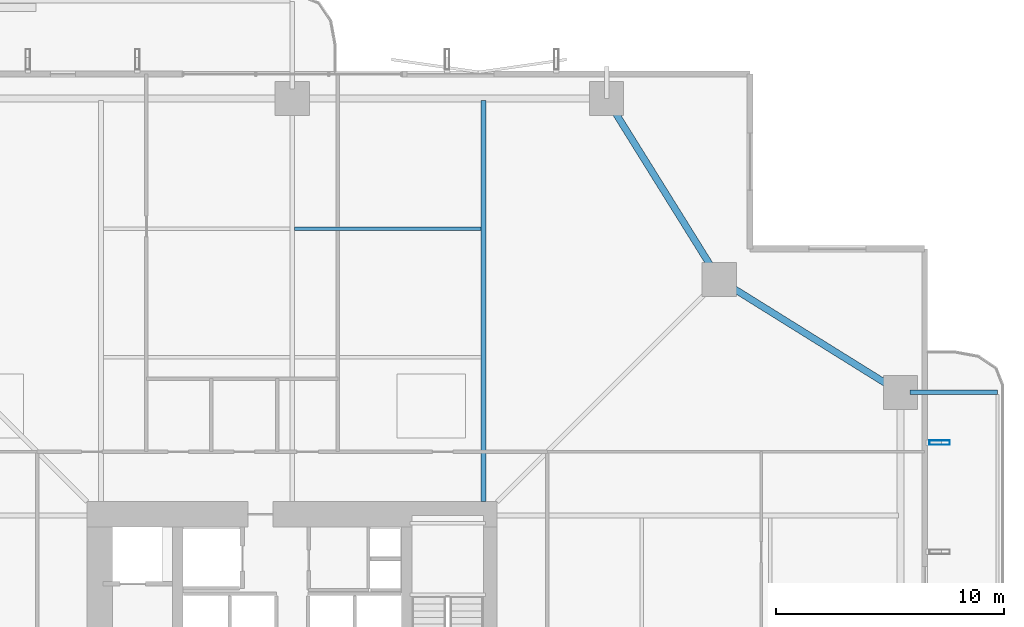
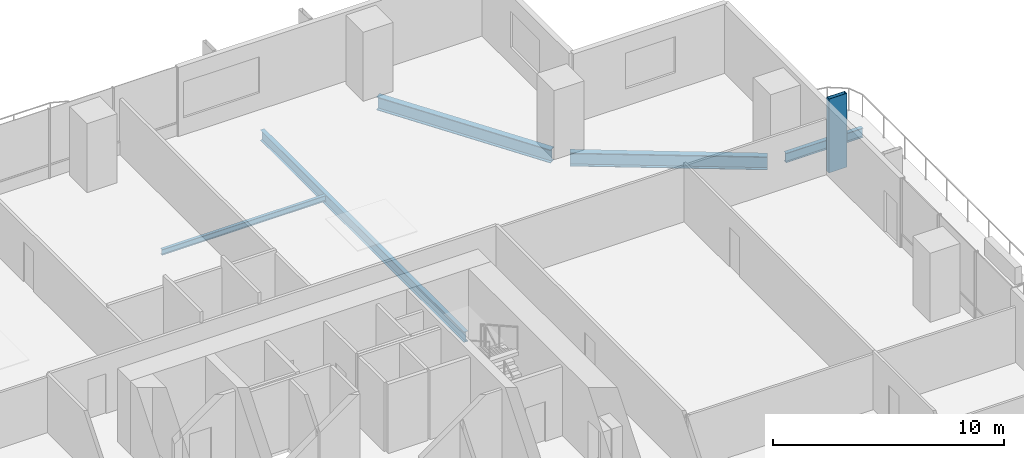
# One storey, part 14 of 24: 5 beams, 1 member.
"""IFC4 building model written with IfcOpenShell, lengths in metres."""

from ifc_helpers import new_model, si_unit, direction, frame, origin, origin_2d, place, context, subcontext, project, spatial, hollow_rectangle, i_section, extrude, material, material_profile, profile_set, type_object, element, save


model = new_model("IFC4")

# Units and contexts
model_context = context("Model", 3, precision=1e-05, world=origin(), true_north=direction((0.0, 1.0)))
body_context = subcontext(model_context, "Body", "Model", "MODEL_VIEW")
ifc_project = project(units=[si_unit("LENGTHUNIT", "METRE"), si_unit("AREAUNIT", "SQUARE_METRE"), si_unit("VOLUMEUNIT", "CUBIC_METRE"), si_unit("PLANEANGLEUNIT", "RADIAN"), si_unit("MASSUNIT", "GRAM", prefix="KILO")], contexts=[model_context])

# Site, building, storey
site_placement = place(None, origin())
site = spatial("IfcSite", under=ifc_project, at=site_placement, CompositionType="ELEMENT")
building_placement = place(site_placement, origin())
building = spatial("IfcBuilding", under=site, at=building_placement, Name="Belovzor Exchange Tower", CompositionType="ELEMENT")
storey_placement = place(building_placement, frame((0.0, 0.0, 96.300048828125)))
storey = spatial("IfcBuildingStorey", under=building, at=storey_placement, Name="L23", CompositionType="ELEMENT", Elevation=96.300048828125)

# Beams
ifc_material_1 = material(Name="Steel S355", Category="steel")
ifc_material_profile_1 = material_profile(ifc_material_1, i_section(OverallWidth=0.199951171875, OverallDepth=0.5, WebThickness=0.01025390625, FlangeThickness=0.01611328125, at=origin_2d()))
ifc_profile_set_1 = profile_set([ifc_material_profile_1], Name="Steel S355")
beam_type_1 = type_object("IfcBeamType", Name="Planted Balcony Cantilever Beam IPE 500", PredefinedType="BEAM", material=ifc_profile_set_1)
beam_1_placement = place(storey_placement, frame((55.9130859375, 42.60009765625, -0.5), z_axis=(1.0, 0.0, 0.0), x_axis=(0.0, 1.0, 0.0)))
element("IfcBeam", 1, at=beam_1_placement, inside=storey, type_object=beam_type_1, Name="BC-500 Planted Balcony Cantilever Beam IPE 500", PredefinedType="BEAM", context=body_context, shape_type="SweptSolid", body=[
    extrude(i_section(OverallWidth=0.199951171875, OverallDepth=0.5, WebThickness=0.01025390625, FlangeThickness=0.01611328125, at=origin_2d()), origin(), (0.0, 0.0, 1.0), 3.849853515625),
])
ifc_material_2 = material(Name="Steel S355", Category="steel")
ifc_material_profile_2 = material_profile(ifc_material_2, i_section(OverallWidth=0.14990234375, OverallDepth=0.300048828125, WebThickness=0.007080078125, FlangeThickness=0.0107421875, at=origin_2d()))
ifc_profile_set_2 = profile_set([ifc_material_profile_2], Name="Steel S355")
beam_type_2 = type_object("IfcBeamType", Name="Secondary Trim Floor Joist IPE 300", PredefinedType="BEAM", material=ifc_profile_set_2)
beam_2_placement = place(storey_placement, frame((28.905029296875, 49.784912109375, -0.400146484375), z_axis=(1.0, 0.0, 0.0), x_axis=(0.0, 1.0, 0.0)))
element("IfcBeam", 2, at=beam_2_placement, inside=storey, type_object=beam_type_2, Name="FJ-300 Secondary Trim Floor Joist IPE 300", PredefinedType="BEAM", context=body_context, shape_type="SweptSolid", body=[
    extrude(i_section(OverallWidth=0.14990234375, OverallDepth=0.300048828125, WebThickness=0.007080078125, FlangeThickness=0.0107421875, at=origin_2d()), origin(), (0.0, 0.0, 1.0), 8.18994140625),
])

# Member
ifc_material_3 = material(Name="Extruded Architectural Terracotta on Steel S355 Carrier", Category="masonry")
ifc_material_profile_3 = material_profile(ifc_material_3, hollow_rectangle(XDim=0.199951171875, YDim=0.89990234375, WallThickness=0.011962890625, at=origin_2d()))
ifc_profile_set_3 = profile_set([ifc_material_profile_3], Name="Extruded Architectural Terracotta on Steel S355 Carrier")
member_type = type_object("IfcMemberType", Name="Sweeping Terracotta Baguette Fin Assembly 1250", PredefinedType="USERDEFINED", material=ifc_profile_set_3)
member_placement = place(storey_placement, frame((57.22509765625, 40.39990234375, -0.25), z_axis=(0.0, 0.0, 1.0), x_axis=(0.0, 1.0, 0.0)))
element("IfcMember", 3, at=member_placement, inside=storey, type_object=member_type, Name="FIN-TC125 Terracotta Facade Fin L23 E4", ObjectType="FIN", PredefinedType="USERDEFINED", context=body_context, shape_type="SweptSolid", body=[
    extrude(hollow_rectangle(XDim=0.199951171875, YDim=0.89990234375, WallThickness=0.011962890625, at=origin_2d()), origin(), (0.0, 0.0, 1.0), 3.89990234375),
])

# Beams
ifc_material_4 = material(Name="Steel S355", Category="steel")
ifc_material_profile_4 = material_profile(ifc_material_4, i_section(OverallWidth=0.300048828125, OverallDepth=0.699951171875, WebThickness=0.01708984375, FlangeThickness=0.031982421875, at=origin_2d()))
ifc_profile_set_4 = profile_set([ifc_material_profile_4], Name="Steel S355")
beam_type_3 = type_object("IfcBeamType", Name="Zone 1 Primary Perimeter Girder HEB 700", PredefinedType="BEAM", material=ifc_profile_set_4)
for number, where, z_axis, x_axis, name in (
    (4, (55.14990234375, 42.818115234375, -0.60009765625), (-0.848909251292, 0.528538629686, 0.0), (-0.528538629686, -0.848909251292, 0.0), "FG-Z1 Zone 1 Primary Perimeter Girder HEB 700"),
    (5, (47.33203125, 47.89990234375, -0.60009765625), (-0.528538629686, 0.848909251292, 0.0), (-0.848909251292, -0.528538629686, 0.0), "FG-Z1 Zone 1 Primary Perimeter Girder HEB 700"),
):
    element("IfcBeam", number, at=place(storey_placement, frame(where, z_axis=z_axis, x_axis=x_axis)), inside=storey, type_object=beam_type_3, Name=name, PredefinedType="BEAM", context=body_context, shape_type="SweptSolid", body=[
        extrude(i_section(OverallWidth=0.300048828125, OverallDepth=0.699951171875, WebThickness=0.01708984375, FlangeThickness=0.031982421875, at=origin_2d()), origin(), (0.0, 0.0, 1.0), 8.540283203125),
    ])
ifc_material_5 = material(Name="Steel S355", Category="steel")
ifc_material_profile_5 = material_profile(ifc_material_5, i_section(OverallWidth=0.2099609375, OverallDepth=0.550048828125, WebThickness=0.010986328125, FlangeThickness=0.01708984375, at=origin_2d()))
ifc_profile_set_5 = profile_set([ifc_material_profile_5], Name="Steel S355")
beam_type_4 = type_object("IfcBeamType", Name="Zone 1 Radial Composite Floor Beam IPE 550", PredefinedType="BEAM", material=ifc_profile_set_5)
beam_3_placement = place(storey_placement, frame((37.199951171875, 37.800048828125, -0.525146484375), z_axis=(0.0, 1.0, 0.0), x_axis=(-1.0, 0.0, 0.0)))
element("IfcBeam", 6, at=beam_3_placement, inside=storey, type_object=beam_type_4, Name="FB-550 Zone 1 Radial Composite Floor Beam IPE 550", PredefinedType="BEAM", context=body_context, shape_type="SweptSolid", body=[
    extrude(i_section(OverallWidth=0.2099609375, OverallDepth=0.550048828125, WebThickness=0.010986328125, FlangeThickness=0.01708984375, at=origin_2d()), origin(), (0.0, 0.0, 1.0), 17.625),
])

save(model, "model.ifc")
